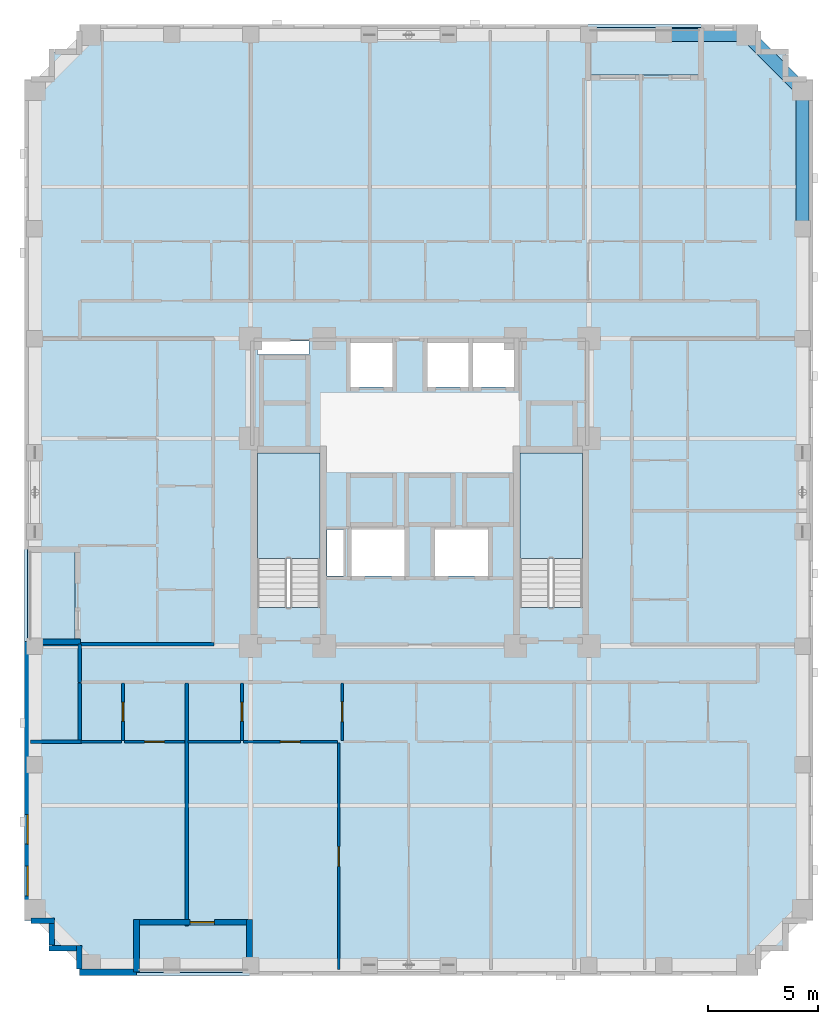
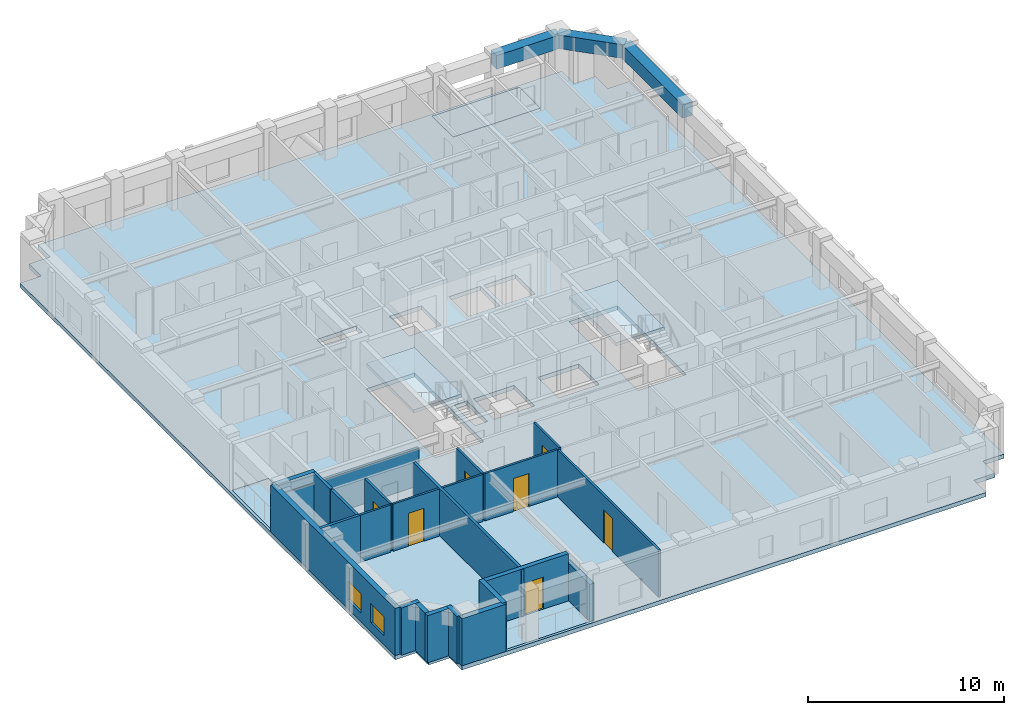
# One storey, part 2 of 12: 23 walls, 7 doors, 6 slabs, 3 beams, 2 windows, 9 openings, 2 elements without a shape of their own.
"""IFC4 building model written with IfcOpenShell, lengths in metres."""

import ifcopenshell
import ifcopenshell.guid

model = None  # the IFC model being written
_history = None  # IfcOwnerHistory: only IFC2X3 demands one
_inside = {}  # id of a spatial element -> (the spatial element, [elements in it])
_under = {}  # id of a project, library or spatial element -> (it, [spatial elements below it])
_declared = {}  # id of a project -> (the project, [libraries it declares])
_typed = {}  # id of a type object -> (the type object, [elements of that type])
_made_of = {}  # id of a material, layer set ... -> (it, [elements and type objects made of it])


def new_model(schema):
    """Start an empty IFC model of exactly this schema.

    Asked for "IFC4X3", IfcOpenShell would pick the latest addendum, in which some entities
    have other attributes; the version numbers below select the first issue.
    IFC2X3 requires an IfcOwnerHistory on every rooted entity: one is made here for all.
    """
    global model, _history
    if schema == "IFC4X3":
        model = ifcopenshell.file(schema_version=(4, 3, 0, 0))
    else:
        model = ifcopenshell.file(schema=schema)
    _inside.clear()
    _under.clear()
    _declared.clear()
    _typed.clear()
    _made_of.clear()
    _history = None
    if model.schema == "IFC2X3":
        org = make("IfcOrganization", Name="unknown")
        user = make(
            "IfcPersonAndOrganization",
            ThePerson=make("IfcPerson", FamilyName="unknown"),
            TheOrganization=org,
        )
        app = make(
            "IfcApplication",
            ApplicationDeveloper=org,
            Version="unknown",
            ApplicationFullName="unknown",
            ApplicationIdentifier="unknown",
        )
        _history = make(
            "IfcOwnerHistory",
            OwningUser=user,
            OwningApplication=app,
            ChangeAction="ADDED",
            CreationDate=0,
        )
    return model


def make(cls, **values):
    """One entity of the class cls with the attributes given. An attribute that is None is left unset."""
    return model.create_entity(
        cls, **{name: value for name, value in values.items() if value is not None}
    )


def rooted(cls, **values):
    """An entity with a GlobalId (a new one), such as an element, a storey or a relation."""
    return make(cls, GlobalId=ifcopenshell.guid.new(), OwnerHistory=_history, **values)


def si_unit(unit_type, name, prefix=None):
    """IfcSIUnit, for example si_unit("LENGTHUNIT", "METRE", prefix="MILLI")."""
    return make("IfcSIUnit", UnitType=unit_type, Prefix=prefix, Name=name)


def derived_unit(unit_type, elements):
    """IfcDerivedUnit: a product of units, each with its exponent."""
    return make(
        "IfcDerivedUnit",
        Elements=[
            make("IfcDerivedUnitElement", Unit=unit, Exponent=power)
            for unit, power in elements
        ],
        UnitType=unit_type,
    )


def assignment(units):
    """IfcUnitAssignment: the units of a project."""
    return None if units is None else make("IfcUnitAssignment", Units=units)


def point(xyz):
    """IfcCartesianPoint."""
    return None if xyz is None else make("IfcCartesianPoint", Coordinates=xyz)


def direction(xyz):
    """IfcDirection."""
    return None if xyz is None else make("IfcDirection", DirectionRatios=xyz)


def frame(location, z_axis=None, x_axis=None):
    """IfcAxis2Placement3D, a coordinate frame: its origin and axes. An axis left out is left unset."""
    return make(
        "IfcAxis2Placement3D",
        Location=point(location),
        Axis=direction(z_axis),
        RefDirection=direction(x_axis),
    )


def frame_2d(location, x_axis=None):
    """IfcAxis2Placement2D, a coordinate frame in the plane: its origin and x axis."""
    return make(
        "IfcAxis2Placement2D", Location=point(location), RefDirection=direction(x_axis)
    )


def origin():
    """The frame at (0, 0, 0) with its axes left unset."""
    return frame((0.0, 0.0, 0.0))


def origin_2d():
    """The frame at (0, 0) in the plane with its x axis left unset."""
    return frame_2d((0.0, 0.0))


def place(relative_to, where):
    """IfcLocalPlacement: puts the frame where relative to a parent placement (None: the world)."""
    return make(
        "IfcLocalPlacement", PlacementRelTo=relative_to, RelativePlacement=where
    )


def context(
    kind, dimensions, precision=None, world=None, true_north=None, identifier=None
):
    """IfcGeometricRepresentationContext, for example the 3D "Model" context."""
    return make(
        "IfcGeometricRepresentationContext",
        ContextIdentifier=identifier,
        ContextType=kind,
        CoordinateSpaceDimension=dimensions,
        Precision=precision,
        WorldCoordinateSystem=world,
        TrueNorth=true_north,
    )


def subcontext(parent, identifier, kind, view, scale=None):
    """IfcGeometricRepresentationSubContext, for example "Body" below "Model"."""
    return make(
        "IfcGeometricRepresentationSubContext",
        ContextIdentifier=identifier,
        ContextType=kind,
        ParentContext=parent,
        TargetScale=scale,
        TargetView=view,
    )


def project(units=None, contexts=None):
    """IfcProject with its units and contexts."""
    return rooted(
        "IfcProject",
        Name="project",
        RepresentationContexts=contexts,
        UnitsInContext=assignment(units),
    )


def spatial(cls, under=None, at=None, **own):
    """A site, building, storey or space (cls), placed at a placement, below another one or the project."""
    s = rooted(cls, ObjectPlacement=at, **own)
    if under is not None:
        _under.setdefault(under.id(), (under, []))[1].append(s)
    return s


def polyline(points):
    """IfcPolyline through the points."""
    return make("IfcPolyline", Points=[point(p) for p in points])


def profile(cls, at=None, kind="AREA", **sizes):
    """A parametric profile (cls). Its sizes go by their IFC names, for example OverallWidth=200.0."""
    return make(cls, ProfileType=kind, Position=at, **sizes)


def rectangle(**sizes):
    """IfcRectangleProfileDef."""
    return profile("IfcRectangleProfileDef", **sizes)


def outline(outer, holes=None, kind="AREA"):
    """IfcArbitraryClosedProfileDef: a profile drawn as a closed curve; with holes, ...WithVoids."""
    if holes is None:
        return make("IfcArbitraryClosedProfileDef", ProfileType=kind, OuterCurve=outer)
    return make(
        "IfcArbitraryProfileDefWithVoids",
        ProfileType=kind,
        OuterCurve=outer,
        InnerCurves=holes,
    )


def extrude(swept, where, along, depth):
    """IfcExtrudedAreaSolid: the profile swept, set in the frame where, extruded along a direction by depth."""
    return make(
        "IfcExtrudedAreaSolid",
        SweptArea=swept,
        Position=where,
        ExtrudedDirection=direction(along),
        Depth=depth,
    )


def shape(context_of_items, identifier, shape_type, items):
    """IfcShapeRepresentation: the items that make up one representation, for example the "Body"."""
    return make(
        "IfcShapeRepresentation",
        ContextOfItems=context_of_items,
        RepresentationIdentifier=identifier,
        RepresentationType=shape_type,
        Items=items,
    )


def material(Name=None, Category=None):
    """IfcMaterial."""
    return make("IfcMaterial", Name=Name, Category=Category)


def layer(
    of_material, thickness, ventilated=None, Name=None, Category=None, Priority=None
):
    """IfcMaterialLayer: one layer of a wall or slab, of a material (None: an air gap)."""
    return make(
        "IfcMaterialLayer",
        Material=of_material,
        LayerThickness=thickness,
        IsVentilated=ventilated,
        Name=Name,
        Category=Category,
        Priority=Priority,
    )


def layer_set(layers, Name=None):
    """IfcMaterialLayerSet."""
    return make("IfcMaterialLayerSet", MaterialLayers=layers, LayerSetName=Name)


def material_profile(
    of_material, cross_section, Name=None, Category=None, Priority=None
):
    """IfcMaterialProfile: a cross section and its material."""
    return make(
        "IfcMaterialProfile",
        Name=Name,
        Material=of_material,
        Profile=cross_section,
        Priority=Priority,
        Category=Category,
    )


def profile_set(profiles, Name=None, composite=None):
    """IfcMaterialProfileSet."""
    return make(
        "IfcMaterialProfileSet",
        Name=Name,
        MaterialProfiles=profiles,
        CompositeProfile=composite,
    )


def made_of(thing, what):
    """Note that an element or type object is made of a material, layer set ...; save() writes the relation."""
    if what is not None:
        _made_of.setdefault(what.id(), (what, []))[1].append(thing)
    return thing


def type_object(cls, material=None, **own):
    """A type object (cls), such as IfcWallType, which elements share."""
    return made_of(rooted(cls, **own), material)


def element(
    cls,
    number,
    at=None,
    inside=None,
    cuts=None,
    type_object=None,
    material=None,
    context=None,
    identifier="Body",
    shape_type=None,
    held_by="IfcProductDefinitionShape",
    body=None,
    shapes=None,
    **own,
):
    """One element of the class cls, such as IfcWall. Its Tag is "e" and its number.

    at: its placement. inside: the storey or other place that contains it. cuts: it is an
    opening in that element (IfcRelVoidsElement). A single representation is given by context,
    identifier, shape_type and body (its items); several are given by shapes. held_by: the class
    of the entity that holds the representations. save() writes the other relations.
    """
    e = rooted(cls, Tag="e%d" % number, ObjectPlacement=at, **own)
    if body is not None:
        shapes = [shape(context, identifier, shape_type, body)]
    if shapes is not None:
        e.Representation = make(held_by, Representations=shapes)
    if inside is not None:
        _inside.setdefault(inside.id(), (inside, []))[1].append(e)
    if cuts is not None:
        rooted(
            "IfcRelVoidsElement", RelatingBuildingElement=cuts, RelatedOpeningElement=e
        )
    if type_object is not None:
        _typed.setdefault(type_object.id(), (type_object, []))[1].append(e)
    return made_of(e, material)


def fill(opening, filler):
    """IfcRelFillsElement: the door or window that sits in an opening."""
    return rooted(
        "IfcRelFillsElement",
        RelatingOpeningElement=opening,
        RelatedBuildingElement=filler,
    )


def aggregate(whole, parts):
    """IfcRelAggregates: a whole, such as a stair, and the parts it consists of."""
    return rooted("IfcRelAggregates", RelatingObject=whole, RelatedObjects=parts)


def save(model, path):
    """Write the relations noted so far, then the file.

    IfcRelAggregates (storeys below a building ...), IfcRelContainedInSpatialStructure (elements
    in a storey), IfcRelDefinesByType, IfcRelAssociatesMaterial and IfcRelDeclares: one each for
    every whole, place, type object, material and project.
    """
    for whole, parts in _under.values():
        aggregate(whole, parts)
    for where, things in _inside.values():
        rooted(
            "IfcRelContainedInSpatialStructure",
            RelatedElements=things,
            RelatingStructure=where,
        )
    for kind, things in _typed.values():
        rooted("IfcRelDefinesByType", RelatedObjects=things, RelatingType=kind)
    for what, things in _made_of.values():
        rooted("IfcRelAssociatesMaterial", RelatedObjects=things, RelatingMaterial=what)
    for by, libraries in _declared.values():
        rooted("IfcRelDeclares", RelatingContext=by, RelatedDefinitions=libraries)
    model.write(path)


model = new_model("IFC4")

# Units and contexts
model_context = context("Model", 3, precision=1e-05, world=origin(), true_north=direction((0.0, 1.0)))
body_context = subcontext(model_context, "Body", "Model", "MODEL_VIEW")
ifc_project = project(units=[si_unit("LENGTHUNIT", "METRE"), si_unit("AREAUNIT", "SQUARE_METRE"), si_unit("VOLUMEUNIT", "CUBIC_METRE"), si_unit("PLANEANGLEUNIT", "RADIAN"), si_unit("MASSUNIT", "GRAM", prefix="KILO"), derived_unit("THERMALTRANSMITTANCEUNIT", [(si_unit("MASSUNIT", "GRAM", prefix="KILO"), 1), (si_unit("TIMEUNIT", "SECOND"), -3), (si_unit("THERMODYNAMICTEMPERATUREUNIT", "KELVIN"), -1)])], contexts=[model_context])

# Site, building, storey
site_placement = place(None, origin())
site = spatial("IfcSite", under=ifc_project, at=site_placement, CompositionType="ELEMENT")
building_placement = place(site_placement, origin())
building = spatial("IfcBuilding", under=site, at=building_placement, Name="Korrvale Station Residences", CompositionType="ELEMENT")
storey_placement = place(building_placement, frame((0.0, 0.0, 107.10009765625)))
storey = spatial("IfcBuildingStorey", under=building, at=storey_placement, Name="L30", CompositionType="ELEMENT", Elevation=107.10009765625)

# Beams
ifc_material_1 = material(Name="Concrete C60/75", Category="concrete")
ifc_material_profile = material_profile(ifc_material_1, rectangle(XDim=0.60009765625, YDim=0.85009765625, at=origin_2d()), Name="RCB600x850")
ifc_profile_set = profile_set([ifc_material_profile], Name="Concrete C60/75")
beam_type = type_object("IfcBeamType", Name="BM-SPB-RCB600x850-C6075", PredefinedType="SPANDREL", material=ifc_profile_set)
beam_1_placement = place(storey_placement, frame((36.60009765625, 42.820068359375, 2.514892578125), z_axis=(1.0, 0.0, 0.0), x_axis=(0.0, 1.0, 0.0)))
element("IfcBeam", 1, at=beam_1_placement, inside=storey, type_object=beam_type, Name="L30 North Tube Spandrel 14", PredefinedType="SPANDREL", context=body_context, shape_type="SweptSolid", body=[
    extrude(rectangle(XDim=0.60009765625, YDim=0.85009765625, at=origin_2d()), origin(), (0.0, 0.0, 1.0), 3.7998046875),
])
beam_2_placement = place(storey_placement, frame((42.919921875, 34.0, 2.514892578125), z_axis=(0.0, 1.0, 0.0), x_axis=(-1.0, 0.0, 0.0)))
element("IfcBeam", 2, at=beam_2_placement, inside=storey, type_object=beam_type, Name="L30 East Tube Spandrel 28", PredefinedType="SPANDREL", context=body_context, shape_type="SweptSolid", body=[
    extrude(rectangle(XDim=0.60009765625, YDim=0.85009765625, at=origin_2d()), origin(), (0.0, 0.0, 1.0), 6.300048828125),
])
beam_3_placement = place(storey_placement, frame((40.39990234375, 42.820068359375, 2.514892578125), z_axis=(0.707106781187, -0.707106781187, 0.0), x_axis=(0.707106781187, 0.707106781187, 0.0)))
element("IfcBeam", 3, at=beam_3_placement, inside=storey, type_object=beam_type, Name="L30 Serrated Corner Spandrel 31", PredefinedType="SPANDREL", context=body_context, shape_type="SweptSolid", body=[
    extrude(rectangle(XDim=0.60009765625, YDim=0.85009765625, at=origin_2d()), origin(), (0.0, 0.0, 1.0), 3.56396484375),
])

# Slabs
ifc_material_2 = material(Name="Concrete C50/60", Category="concrete")
ifc_layer_1 = layer(ifc_material_2, 0.219970703125, Name="Concrete C50/60")
ifc_layer_set_1 = layer_set([ifc_layer_1], Name="Concrete C50/60")
slab_type_1 = type_object("IfcSlabType", Name="SLB-BAL-220", PredefinedType="FLOOR", material=ifc_layer_set_1)
slab_1_placement = place(storey_placement, frame((0.0, 0.0, -0.22021484375)))
element("IfcSlab", 4, at=slab_1_placement, inside=storey, type_object=slab_type_1, Name="L30 Recessed Loggia Balcony Slab BAL-L30-S1", PredefinedType="FLOOR", context=body_context, shape_type="SweptSolid", body=[
    extrude(outline(polyline([(12.60009765625, 0.14990234375), (17.75, 0.14990234375), (17.75, 2.300048828125), (12.60009765625, 2.300048828125), (12.60009765625, 0.14990234375)])), origin(), (0.0, 0.0, 1.0), 0.22021484375),
])
slab_2_placement = place(storey_placement, frame((0.0, 0.0, -0.22021484375)))
element("IfcSlab", 5, at=slab_2_placement, inside=storey, type_object=slab_type_1, Name="L30 Recessed Loggia Balcony Slab BAL-L30-N1", PredefinedType="FLOOR", context=body_context, shape_type="SweptSolid", body=[
    extrude(outline(polyline([(33.14990234375, 41.0), (38.300048828125, 41.0), (38.300048828125, 43.14990234375), (33.14990234375, 43.14990234375), (33.14990234375, 41.0)])), origin(), (0.0, 0.0, 1.0), 0.22021484375),
])
slab_3_placement = place(storey_placement, frame((0.0, 0.0, -0.22021484375)))
element("IfcSlab", 6, at=slab_3_placement, inside=storey, type_object=slab_type_1, Name="L30 Recessed Loggia Balcony Slab BAL-L30-W1", PredefinedType="FLOOR", context=body_context, shape_type="SweptSolid", body=[
    extrude(outline(polyline([(7.64990234375, 15.199951171875), (9.800048828125, 15.199951171875), (9.800048828125, 19.39990234375), (7.64990234375, 19.39990234375), (7.64990234375, 15.199951171875)])), origin(), (0.0, 0.0, 1.0), 0.22021484375),
])
ifc_layer_2 = layer(ifc_material_2, 0.260009765625, Name="Concrete C50/60")
ifc_layer_set_2 = layer_set([ifc_layer_2], Name="Concrete C50/60")
slab_type_2 = type_object("IfcSlabType", Name="SLB-FLR-260", PredefinedType="FLOOR", material=ifc_layer_set_2)
slab_4_placement = place(storey_placement, frame((0.0, 0.0, -0.260009765625)))
element("IfcSlab", 7, at=slab_4_placement, inside=storey, type_object=slab_type_2, Name="L30 Suspended Structural Floor Slab", PredefinedType="FLOOR", context=body_context, shape_type="SweptSolid", body=[
    extrude(outline(polyline([(10.0, 0.0), (40.89990234375, 0.0), (40.89990234375, 1.25), (42.14990234375, 1.25), (42.14990234375, 2.5), (43.39990234375, 2.5), (43.39990234375, 40.800048828125), (42.14990234375, 40.800048828125), (42.14990234375, 42.050048828125), (40.89990234375, 42.050048828125), (40.89990234375, 43.300048828125), (10.0, 43.300048828125), (10.0, 42.050048828125), (8.75, 42.050048828125), (8.75, 40.800048828125), (7.5, 40.800048828125), (7.5, 2.5), (8.75, 2.5), (8.75, 1.25), (10.0, 1.25), (10.0, 0.0)]), holes=[polyline([(20.949951171875, 16.751953125), (20.949951171875, 23.800048828125), (18.10009765625, 23.800048828125), (18.10009765625, 16.751953125), (20.949951171875, 16.751953125)]), polyline([(32.89990234375, 16.751953125), (32.89990234375, 23.800048828125), (30.050048828125, 23.800048828125), (30.050048828125, 16.751953125), (32.89990234375, 16.751953125)]), polyline([(22.35009765625, 26.800048828125), (24.25, 26.800048828125), (24.25, 28.800048828125), (22.35009765625, 28.800048828125), (22.35009765625, 26.800048828125)]), polyline([(25.85009765625, 26.800048828125), (27.7099609375, 26.800048828125), (27.7099609375, 28.800048828125), (25.85009765625, 28.800048828125), (25.85009765625, 26.800048828125)]), polyline([(27.929931640625, 26.800048828125), (29.7900390625, 26.800048828125), (29.7900390625, 28.800048828125), (27.929931640625, 28.800048828125), (27.929931640625, 26.800048828125)]), polyline([(22.39990234375, 18.199951171875), (24.800048828125, 18.199951171875), (24.800048828125, 20.300048828125), (22.39990234375, 20.300048828125), (22.39990234375, 18.199951171875)]), polyline([(26.199951171875, 18.199951171875), (28.60009765625, 18.199951171875), (28.60009765625, 20.300048828125), (26.199951171875, 20.300048828125), (26.199951171875, 18.199951171875)]), polyline([(18.10009765625, 28.280029296875), (20.449951171875, 28.280029296875), (20.449951171875, 28.8798828125), (18.10009765625, 28.8798828125), (18.10009765625, 28.280029296875)]), polyline([(21.280029296875, 18.199951171875), (22.02001953125, 18.199951171875), (22.02001953125, 20.300048828125), (21.280029296875, 20.300048828125), (21.280029296875, 18.199951171875)]), polyline([(12.60009765625, 0.14990234375), (17.75, 0.14990234375), (17.75, 2.300048828125), (12.60009765625, 2.300048828125), (12.60009765625, 0.14990234375)]), polyline([(33.14990234375, 41.0), (38.300048828125, 41.0), (38.300048828125, 43.14990234375), (33.14990234375, 43.14990234375), (33.14990234375, 41.0)]), polyline([(7.64990234375, 15.199951171875), (9.800048828125, 15.199951171875), (9.800048828125, 19.39990234375), (7.64990234375, 19.39990234375), (7.64990234375, 15.199951171875)])]), origin(), (0.0, 0.0, 1.0), 0.260009765625),
])

# Stair, slab
stair_type = type_object("IfcStairType", Name="STR-DL-1350-18R-1778", PredefinedType="HALF_TURN_STAIR", material=ifc_material_2)
stair_1_placement = place(storey_placement, origin())
stair_1 = element("IfcStair", 8, at=stair_1_placement, inside=storey, type_object=stair_type, Name="L30 Exit Stair 1", PredefinedType="HALF_TURN_STAIR")
ifc_layer_3 = layer(ifc_material_2, 0.199951171875, Name="Concrete C50/60")
ifc_layer_set_3 = layer_set([ifc_layer_3], Name="Concrete C50/60")
slab_type_3 = type_object("IfcSlabType", Name="SLB-LND-200", PredefinedType="LANDING", material=ifc_layer_set_3)
slab_5_placement = place(storey_placement, frame((0.0, 0.0, 1.39990234375)))
slab_5 = element("IfcSlab", 9, at=slab_5_placement, type_object=slab_type_3, Name="ST-1 landing 1", PredefinedType="LANDING", context=body_context, shape_type="SweptSolid", body=[
    extrude(outline(polyline([(20.949951171875, 18.989990234375), (20.949951171875, 23.800048828125), (18.10009765625, 23.800048828125), (18.10009765625, 18.989990234375), (20.949951171875, 18.989990234375)])), origin(), (0.0, 0.0, 1.0), 0.199951171875),
])
aggregate(stair_1, [slab_5])

stair_2_placement = place(storey_placement, origin())
stair_2 = element("IfcStair", 10, at=stair_2_placement, inside=storey, type_object=stair_type, Name="L30 Exit Stair 2", PredefinedType="HALF_TURN_STAIR")
slab_6_placement = place(storey_placement, frame((0.0, 0.0, 1.39990234375)))
slab_6 = element("IfcSlab", 11, at=slab_6_placement, type_object=slab_type_3, Name="ST-2 landing 1", PredefinedType="LANDING", context=body_context, shape_type="SweptSolid", body=[
    extrude(outline(polyline([(32.89990234375, 18.989990234375), (32.89990234375, 23.800048828125), (30.050048828125, 23.800048828125), (30.050048828125, 18.989990234375), (32.89990234375, 18.989990234375)])), origin(), (0.0, 0.0, 1.0), 0.199951171875),
])
aggregate(stair_2, [slab_6])

# Wall
ifc_material_3 = material(Name="Precast concrete C45/55", Category="concrete")
ifc_layer_4 = layer(ifc_material_3, 0.260009765625, Name="Precast concrete C45/55")
ifc_layer_set_4 = layer_set([ifc_layer_4], Name="Precast concrete C45/55")
wall_type_1 = type_object("IfcWallType", Name="WAL-EXT-LOG260", PredefinedType="SOLIDWALL", material=ifc_layer_set_4)
wall_1_placement = place(storey_placement, frame((17.75, 0.159912109375, 0.0), z_axis=(0.0, 0.0, 1.0), x_axis=(0.0, 1.0, 0.0)))
element("IfcWall", 12, at=wall_1_placement, inside=storey, type_object=wall_type_1, Name="L30 Recessed Loggia Wall BAL-L30-S1-L", PredefinedType="SOLIDWALL", context=body_context, shape_type="SweptSolid", body=[
    extrude(rectangle(XDim=2.400146484375, YDim=0.260009765625, at=frame_2d((1.2001953125, 0.0))), origin(), (0.0, 0.0, 1.0), 2.31298828125),
])

# Wall, opening, door
wall_2_placement = place(storey_placement, frame((17.615966796875, 2.429931640625, 0.0), z_axis=(0.0, 0.0, 1.0), x_axis=(-1.0, 0.0, 0.0)))
wall_2 = element("IfcWall", 13, at=wall_2_placement, inside=storey, type_object=wall_type_1, Name="L30 Recessed Loggia Wall BAL-L30-S1-B", PredefinedType="SOLIDWALL", context=body_context, shape_type="SweptSolid", body=[
    extrude(rectangle(XDim=4.882080078125, YDim=0.260009765625, at=frame_2d((2.44091796875, 0.0))), origin(), (0.0, 0.0, 1.0), 2.93994140625),
])
opening_1_placement = place(wall_2_placement, frame((1.469970703125, 0.0, 0.0)))
opening_1 = element("IfcOpeningElement", 14, at=opening_1_placement, cuts=wall_2, Name="Opening BD-01", PredefinedType="OPENING", context=body_context, shape_type="SweptSolid", body=[
    extrude(rectangle(XDim=1.10009765625, YDim=2.0, at=frame_2d((0.550048828125, 1.0))), frame((0.0, 0.14013671875, 0.0), z_axis=(0.0, -1.0, 0.0), x_axis=(1.0, 0.0, 0.0)), (0.0, 0.0, 1.0), 0.280029296875),
])
ifc_material_4 = material(Name="Exterior thermally broken aluminium glazed balcony door", Category="aluminium")
door_type_1 = type_object("IfcDoorType", Name="DR-EXT-BAL", OperationType="NOTDEFINED", PredefinedType="DOOR", material=ifc_material_4)
door_1_placement = place(opening_1_placement, origin())
door_1 = element("IfcDoor", 15, at=door_1_placement, inside=storey, type_object=door_type_1, Name="L30 Loggia Balcony Door BAL-L30-S1", OperationType="SINGLE_SWING_LEFT", OverallHeight=2.0, OverallWidth=1.10009765625, PredefinedType="DOOR", context=body_context, shape_type="SweptSolid", body=[
    extrude(rectangle(XDim=1.10009765625, YDim=2.0, at=frame_2d((0.550048828125, 1.0))), frame((0.0, 0.02490234375, 0.0), z_axis=(0.0, -1.0, 0.0), x_axis=(1.0, 0.0, 0.0)), (0.0, 0.0, 1.0), 0.050048828125),
])
fill(opening_1, door_1)

# Walls
for number, where, z_axis, x_axis, name in (
    (16, (12.60009765625, 2.56005859375, 0.0), (0.0, 0.0, 1.0), (0.0, -1.0, 0.0), "L30 Recessed Loggia Wall BAL-L30-S1-R"),
    (17, (7.659912109375, 15.199951171875, 0.0), (0.0, 0.0, 1.0), (1.0, 0.0, 0.0), "L30 Recessed Loggia Wall BAL-L30-W1-L"),
):
    element("IfcWall", number, at=place(storey_placement, frame(where, z_axis=z_axis, x_axis=x_axis)), inside=storey, type_object=wall_type_1, Name=name, PredefinedType="SOLIDWALL", context=body_context, shape_type="SweptSolid", body=[
        extrude(rectangle(XDim=2.400146484375, YDim=0.260009765625, at=frame_2d((1.2001953125, 0.0))), origin(), (0.0, 0.0, 1.0), 2.93994140625),
    ])
wall_3_placement = place(storey_placement, frame((10.0, 0.302001953125, 0.0), z_axis=(0.0, 0.0, 1.0), x_axis=(0.0, 1.0, 0.0)))
element("IfcWall", 18, at=wall_3_placement, inside=storey, type_object=wall_type_1, Name="L30 Serrated Corner Precast Step SW-1", PredefinedType="SOLIDWALL", context=body_context, shape_type="SweptSolid", body=[
    extrude(rectangle(XDim=1.077880859375, YDim=0.260009765625, at=frame_2d((0.5390625, 0.0))), origin(), (0.0, 0.0, 1.0), 2.93994140625),
])
wall_4_placement = place(storey_placement, frame((9.867919921875, 1.25, 0.0), z_axis=(0.0, 0.0, 1.0), x_axis=(-1.0, 0.0, 0.0)))
element("IfcWall", 19, at=wall_4_placement, inside=storey, type_object=wall_type_1, Name="L30 Serrated Corner Precast Step SW-2", PredefinedType="SOLIDWALL", context=body_context, shape_type="SweptSolid", body=[
    extrude(rectangle(XDim=1.247802734375, YDim=0.260009765625, at=frame_2d((0.6240234375, 0.0))), origin(), (0.0, 0.0, 1.0), 2.93994140625),
])
wall_5_placement = place(storey_placement, frame((8.75, 1.382080078125, 0.0), z_axis=(0.0, 0.0, 1.0), x_axis=(0.0, 1.0, 0.0)))
element("IfcWall", 20, at=wall_5_placement, inside=storey, type_object=wall_type_1, Name="L30 Serrated Corner Precast Step SW-3", PredefinedType="SOLIDWALL", context=body_context, shape_type="SweptSolid", body=[
    extrude(rectangle(XDim=0.98583984375, YDim=0.260009765625, at=frame_2d((0.492919921875, 0.0))), origin(), (0.0, 0.0, 1.0), 2.93994140625),
])
wall_6_placement = place(storey_placement, frame((8.8798828125, 2.5, 0.0), z_axis=(0.0, 0.0, 1.0), x_axis=(-1.0, 0.0, 0.0)))
element("IfcWall", 21, at=wall_6_placement, inside=storey, type_object=wall_type_1, Name="L30 Serrated Corner Precast Step SW-4", PredefinedType="SOLIDWALL", context=body_context, shape_type="SweptSolid", body=[
    extrude(rectangle(XDim=1.077880859375, YDim=0.260009765625, at=frame_2d((0.5390625, 0.0))), origin(), (0.0, 0.0, 1.0), 2.93994140625),
])
ifc_layer_5 = layer(ifc_material_3, 0.300048828125, Name="Precast concrete C45/55")
ifc_layer_set_5 = layer_set([ifc_layer_5], Name="Precast concrete C45/55")
wall_type_2 = type_object("IfcWallType", Name="WAL-EXT-PC300", PredefinedType="SOLIDWALL", material=ifc_layer_set_5)
wall_7_placement = place(storey_placement, frame((12.60009765625, 0.14990234375, 0.0), z_axis=(0.0, 0.0, 1.0), x_axis=(-1.0, 0.0, 0.0)))
element("IfcWall", 22, at=wall_7_placement, inside=storey, type_object=wall_type_2, Name="L30 South Exterior Precast Wall 2", PredefinedType="SOLIDWALL", context=body_context, shape_type="SweptSolid", body=[
    extrude(rectangle(XDim=2.60009765625, YDim=0.300048828125, at=frame_2d((1.300048828125, 0.0))), origin(), (0.0, 0.0, 1.0), 2.93994140625),
])

# Wall, openings, windows
wall_8_placement = place(storey_placement, frame((7.64990234375, 2.5, 0.0), z_axis=(0.0, 0.0, 1.0), x_axis=(0.0, 1.0, 0.0)))
wall_8 = element("IfcWall", 23, at=wall_8_placement, inside=storey, type_object=wall_type_2, Name="L30 West Exterior Precast Wall 1", PredefinedType="SOLIDWALL", context=body_context, shape_type="SweptSolid", body=[
    extrude(rectangle(XDim=12.699951171875, YDim=0.300048828125, at=frame_2d((6.35009765625, 0.0))), origin(), (0.0, 0.0, 1.0), 2.93994140625),
])
opening_2_placement = place(wall_8_placement, frame((3.48193359375, 0.0, 0.550048828125)))
opening_2 = element("IfcOpeningElement", 24, at=opening_2_placement, cuts=wall_8, Name="Opening W-10", PredefinedType="OPENING", context=body_context, shape_type="SweptSolid", body=[
    extrude(rectangle(XDim=1.35009765625, YDim=1.199951171875, at=frame_2d((0.675048828125, 0.60009765625))), frame((0.0, 0.16015625, 0.0), z_axis=(0.0, -1.0, 0.0), x_axis=(1.0, 0.0, 0.0)), (0.0, 0.0, 1.0), 0.320068359375),
])
opening_3_placement = place(wall_8_placement, frame((1.135009765625, 0.0, 0.550048828125)))
opening_3 = element("IfcOpeningElement", 25, at=opening_3_placement, cuts=wall_8, Name="Opening W-10", PredefinedType="OPENING", context=body_context, shape_type="SweptSolid", body=[
    extrude(rectangle(XDim=1.35009765625, YDim=1.199951171875, at=frame_2d((0.675048828125, 0.60009765625))), frame((0.0, 0.16015625, 0.0), z_axis=(0.0, -1.0, 0.0), x_axis=(1.0, 0.0, 0.0)), (0.0, 0.0, 1.0), 0.320068359375),
])
ifc_material_5 = material(Name="Thermally broken aluminium frame with triple low-e glazing", Category="aluminium")
window_type = type_object("IfcWindowType", Name="WIN-W10", PartitioningType="SINGLE_PANEL", PredefinedType="WINDOW", material=ifc_material_5)
window_1_placement = place(opening_2_placement, origin())
window_1 = element("IfcWindow", 26, at=window_1_placement, inside=storey, type_object=window_type, Name="L30 Punched Window 01", OverallHeight=1.199951171875, OverallWidth=1.35009765625, PartitioningType="SINGLE_PANEL", PredefinedType="WINDOW", context=body_context, shape_type="SweptSolid", body=[
    extrude(rectangle(XDim=1.35009765625, YDim=1.199951171875, at=frame_2d((0.675048828125, 0.60009765625))), frame((0.0, 0.030029296875, 0.0), z_axis=(0.0, -1.0, 0.0), x_axis=(1.0, 0.0, 0.0)), (0.0, 0.0, 1.0), 0.06005859375),
])
fill(opening_2, window_1)
window_2_placement = place(opening_3_placement, origin())
window_2 = element("IfcWindow", 27, at=window_2_placement, inside=storey, type_object=window_type, Name="L30 Punched Window 02", OverallHeight=1.199951171875, OverallWidth=1.35009765625, PartitioningType="SINGLE_PANEL", PredefinedType="WINDOW", context=body_context, shape_type="SweptSolid", body=[
    extrude(rectangle(XDim=1.35009765625, YDim=1.199951171875, at=frame_2d((0.675048828125, 0.60009765625))), frame((0.0, 0.030029296875, 0.0), z_axis=(0.0, -1.0, 0.0), x_axis=(1.0, 0.0, 0.0)), (0.0, 0.0, 1.0), 0.06005859375),
])
fill(opening_3, window_2)

# Wall, opening, door
ifc_material_6 = material(Name="Acoustic steel-stud gypsum board partition", Category="steel")
ifc_layer_6 = layer(ifc_material_6, 0.1201171875, Name="Acoustic steel-stud gypsum board partition")
ifc_layer_set_6 = layer_set([ifc_layer_6], Name="Acoustic steel-stud gypsum board partition")
wall_type_3 = type_object("IfcWallType", Name="WAL-PART-125", PredefinedType="PARTITIONING", material=ifc_layer_set_6)
wall_9_placement = place(storey_placement, frame((11.989990234375, 10.7099609375, 0.0), z_axis=(0.0, 0.0, 1.0), x_axis=(0.0, 1.0, 0.0)))
wall_9 = element("IfcWall", 28, at=wall_9_placement, inside=storey, type_object=wall_type_3, Name="L30 Suite Partition U01-V01", PredefinedType="PARTITIONING", context=body_context, shape_type="SweptSolid", body=[
    extrude(rectangle(XDim=2.60009765625, YDim=0.1201171875, at=frame_2d((1.300048828125, 0.0))), origin(), (0.0, 0.0, 1.0), 2.93994140625),
])
opening_4_placement = place(wall_9_placement, frame((0.8701171875, 0.0, 0.0)))
opening_4 = element("IfcOpeningElement", 29, at=opening_4_placement, cuts=wall_9, Name="Opening DB-860", PredefinedType="OPENING", context=body_context, shape_type="SweptSolid", body=[
    extrude(rectangle(XDim=0.860107421875, YDim=2.050048828125, at=frame_2d((0.43017578125, 1.02490234375))), frame((0.0, 0.070068359375, 0.0), z_axis=(0.0, -1.0, 0.0), x_axis=(1.0, 0.0, 0.0)), (0.0, 0.0, 1.0), 0.14013671875),
])
ifc_material_7 = material(Name="Moisture-resistant solid-core bathroom door", Category="timber")
door_type_2 = type_object("IfcDoorType", Name="DR-BATH-860", OperationType="NOTDEFINED", PredefinedType="DOOR", material=ifc_material_7)
door_2_placement = place(opening_4_placement, origin())
door_2 = element("IfcDoor", 30, at=door_2_placement, inside=storey, type_object=door_type_2, Name="L30 Studio Apartment L30-U01 Bathroom Door", OperationType="SINGLE_SWING_RIGHT", OverallHeight=2.050048828125, OverallWidth=0.860107421875, PredefinedType="DOOR", context=body_context, shape_type="SweptSolid", body=[
    extrude(rectangle(XDim=0.860107421875, YDim=2.050048828125, at=frame_2d((0.43017578125, 1.02490234375))), frame((0.0, 0.02490234375, 0.0), z_axis=(0.0, -1.0, 0.0), x_axis=(1.0, 0.0, 0.0)), (0.0, 0.0, 1.0), 0.050048828125),
])
fill(opening_4, door_2)

# Wall
wall_10_placement = place(storey_placement, frame((10.080078125, 10.64990234375, 0.0), z_axis=(0.0, 0.0, 1.0), x_axis=(1.0, 0.0, 0.0)))
element("IfcWall", 31, at=wall_10_placement, inside=storey, type_object=wall_type_3, Name="L30 Suite Partition U01-H02", PredefinedType="PARTITIONING", context=body_context, shape_type="SweptSolid", body=[
    extrude(rectangle(XDim=1.849853515625, YDim=0.1201171875, at=frame_2d((0.9248046875, 0.0))), origin(), (0.0, 0.0, 1.0), 2.93994140625),
])

# Wall, opening, door
wall_11_placement = place(storey_placement, frame((12.050048828125, 10.64990234375, 0.0), z_axis=(0.0, 0.0, 1.0), x_axis=(1.0, 0.0, 0.0)))
wall_11 = element("IfcWall", 32, at=wall_11_placement, inside=storey, type_object=wall_type_3, Name="L30 Suite Partition U01-H12", PredefinedType="PARTITIONING", context=body_context, shape_type="SweptSolid", body=[
    extrude(rectangle(XDim=2.73583984375, YDim=0.1201171875, at=frame_2d((1.367919921875, 0.0))), origin(), (0.0, 0.0, 1.0), 2.93994140625),
])
opening_5_placement = place(wall_11_placement, frame((0.91796875, 0.0, 0.0)))
opening_5 = element("IfcOpeningElement", 33, at=opening_5_placement, cuts=wall_11, Name="Opening DI-900", PredefinedType="OPENING", context=body_context, shape_type="SweptSolid", body=[
    extrude(rectangle(XDim=0.89990234375, YDim=2.050048828125, at=frame_2d((0.449951171875, 1.02490234375))), frame((0.0, 0.070068359375, 0.0), z_axis=(0.0, -1.0, 0.0), x_axis=(1.0, 0.0, 0.0)), (0.0, 0.0, 1.0), 0.14013671875),
])
ifc_material_8 = material(Name="Painted solid-core timber interior room door", Category="wood")
door_type_3 = type_object("IfcDoorType", Name="DR-INT-900", OperationType="NOTDEFINED", PredefinedType="DOOR", material=ifc_material_8)
door_3_placement = place(opening_5_placement, origin())
door_3 = element("IfcDoor", 34, at=door_3_placement, inside=storey, type_object=door_type_3, Name="L30 Studio Apartment L30-U01 Kitchen Door", OperationType="SINGLE_SWING_LEFT", OverallHeight=2.050048828125, OverallWidth=0.89990234375, PredefinedType="DOOR", context=body_context, shape_type="SweptSolid", body=[
    extrude(rectangle(XDim=0.89990234375, YDim=2.050048828125, at=frame_2d((0.449951171875, 1.02490234375))), frame((0.0, 0.02490234375, 0.0), z_axis=(0.0, -1.0, 0.0), x_axis=(1.0, 0.0, 0.0)), (0.0, 0.0, 1.0), 0.050048828125),
])
fill(opening_5, door_3)

wall_12_placement = place(storey_placement, frame((17.406005859375, 10.7099609375, 0.0), z_axis=(0.0, 0.0, 1.0), x_axis=(0.0, 1.0, 0.0)))
wall_12 = element("IfcWall", 35, at=wall_12_placement, inside=storey, type_object=wall_type_3, Name="L30 Suite Partition U02-V01", PredefinedType="PARTITIONING", context=body_context, shape_type="SweptSolid", body=[
    extrude(rectangle(XDim=2.60009765625, YDim=0.1201171875, at=frame_2d((1.300048828125, 0.0))), origin(), (0.0, 0.0, 1.0), 2.93994140625),
])
opening_6_placement = place(wall_12_placement, frame((0.8701171875, 0.0, 0.0)))
opening_6 = element("IfcOpeningElement", 36, at=opening_6_placement, cuts=wall_12, Name="Opening DB-860", PredefinedType="OPENING", context=body_context, shape_type="SweptSolid", body=[
    extrude(rectangle(XDim=0.860107421875, YDim=2.050048828125, at=frame_2d((0.43017578125, 1.02490234375))), frame((0.0, 0.070068359375, 0.0), z_axis=(0.0, -1.0, 0.0), x_axis=(1.0, 0.0, 0.0)), (0.0, 0.0, 1.0), 0.14013671875),
])
door_4_placement = place(opening_6_placement, origin())
door_4 = element("IfcDoor", 37, at=door_4_placement, inside=storey, type_object=door_type_2, Name="L30 Apartment 2BR L30-U02 Bathroom Door", OperationType="SINGLE_SWING_RIGHT", OverallHeight=2.050048828125, OverallWidth=0.860107421875, PredefinedType="DOOR", context=body_context, shape_type="SweptSolid", body=[
    extrude(rectangle(XDim=0.860107421875, YDim=2.050048828125, at=frame_2d((0.43017578125, 1.02490234375))), frame((0.0, 0.02490234375, 0.0), z_axis=(0.0, -1.0, 0.0), x_axis=(1.0, 0.0, 0.0)), (0.0, 0.0, 1.0), 0.050048828125),
])
fill(opening_6, door_4)

# Wall
wall_13_placement = place(storey_placement, frame((14.946044921875, 10.64990234375, 0.0), z_axis=(0.0, 0.0, 1.0), x_axis=(1.0, 0.0, 0.0)))
element("IfcWall", 38, at=wall_13_placement, inside=storey, type_object=wall_type_3, Name="L30 Suite Partition U02-H05", PredefinedType="PARTITIONING", context=body_context, shape_type="SweptSolid", body=[
    extrude(rectangle(XDim=2.39990234375, YDim=0.1201171875, at=frame_2d((1.199951171875, 0.0))), origin(), (0.0, 0.0, 1.0), 2.93994140625),
])

# Wall, opening, door
wall_14_placement = place(storey_placement, frame((21.966064453125, 10.7099609375, 0.0), z_axis=(0.0, 0.0, 1.0), x_axis=(0.0, 1.0, 0.0)))
wall_14 = element("IfcWall", 39, at=wall_14_placement, inside=storey, type_object=wall_type_3, Name="L30 Suite Partition U02-V12", PredefinedType="PARTITIONING", context=body_context, shape_type="SweptSolid", body=[
    extrude(rectangle(XDim=2.60009765625, YDim=0.1201171875, at=frame_2d((1.300048828125, 0.0))), origin(), (0.0, 0.0, 1.0), 2.93994140625),
])
opening_7_placement = place(wall_14_placement, frame((0.85009765625, 0.0, 0.0)))
opening_7 = element("IfcOpeningElement", 40, at=opening_7_placement, cuts=wall_14, Name="Opening DI-900", PredefinedType="OPENING", context=body_context, shape_type="SweptSolid", body=[
    extrude(rectangle(XDim=0.89990234375, YDim=2.050048828125, at=frame_2d((0.449951171875, 1.02490234375))), frame((0.0, 0.070068359375, 0.0), z_axis=(0.0, -1.0, 0.0), x_axis=(1.0, 0.0, 0.0)), (0.0, 0.0, 1.0), 0.14013671875),
])
door_5_placement = place(opening_7_placement, origin())
door_5 = element("IfcDoor", 41, at=door_5_placement, inside=storey, type_object=door_type_3, Name="L30 Apartment 2BR L30-U02 Kitchen Door", OperationType="SINGLE_SWING_LEFT", OverallHeight=2.050048828125, OverallWidth=0.89990234375, PredefinedType="DOOR", context=body_context, shape_type="SweptSolid", body=[
    extrude(rectangle(XDim=0.89990234375, YDim=2.050048828125, at=frame_2d((0.449951171875, 1.02490234375))), frame((0.0, 0.02490234375, 0.0), z_axis=(0.0, -1.0, 0.0), x_axis=(1.0, 0.0, 0.0)), (0.0, 0.0, 1.0), 0.050048828125),
])
fill(opening_7, door_5)

wall_15_placement = place(storey_placement, frame((17.466064453125, 10.64990234375, 0.0), z_axis=(0.0, 0.0, 1.0), x_axis=(1.0, 0.0, 0.0)))
wall_15 = element("IfcWall", 42, at=wall_15_placement, inside=storey, type_object=wall_type_3, Name="L30 Suite Partition U02-H15", PredefinedType="PARTITIONING", context=body_context, shape_type="SweptSolid", body=[
    extrude(rectangle(XDim=4.280029296875, YDim=0.1201171875, at=frame_2d((2.14013671875, 0.0))), origin(), (0.0, 0.0, 1.0), 2.93994140625),
])
opening_8_placement = place(wall_15_placement, frame((1.68994140625, 0.0, 0.0)))
opening_8 = element("IfcOpeningElement", 43, at=opening_8_placement, cuts=wall_15, Name="Opening DI-900", PredefinedType="OPENING", context=body_context, shape_type="SweptSolid", body=[
    extrude(rectangle(XDim=0.89990234375, YDim=2.050048828125, at=frame_2d((0.449951171875, 1.02490234375))), frame((0.0, 0.070068359375, 0.0), z_axis=(0.0, -1.0, 0.0), x_axis=(1.0, 0.0, 0.0)), (0.0, 0.0, 1.0), 0.14013671875),
])
door_6_placement = place(opening_8_placement, origin())
door_6 = element("IfcDoor", 44, at=door_6_placement, inside=storey, type_object=door_type_3, Name="L30 Apartment 2BR L30-U02 Kitchen Door", OperationType="SINGLE_SWING_RIGHT", OverallHeight=2.050048828125, OverallWidth=0.89990234375, PredefinedType="DOOR", context=body_context, shape_type="SweptSolid", body=[
    extrude(rectangle(XDim=0.89990234375, YDim=2.050048828125, at=frame_2d((0.449951171875, 1.02490234375))), frame((0.0, 0.02490234375, 0.0), z_axis=(0.0, -1.0, 0.0), x_axis=(1.0, 0.0, 0.0)), (0.0, 0.0, 1.0), 0.050048828125),
])
fill(opening_8, door_6)

wall_16_placement = place(storey_placement, frame((21.805908203125, 0.280029296875, 0.0), z_axis=(0.0, 0.0, 1.0), x_axis=(0.0, 1.0, 0.0)))
wall_16 = element("IfcWall", 45, at=wall_16_placement, inside=storey, type_object=wall_type_3, Name="L30 Suite Partition U02-V56", PredefinedType="PARTITIONING", context=body_context, shape_type="SweptSolid", body=[
    extrude(rectangle(XDim=10.31005859375, YDim=0.1201171875, at=frame_2d((5.155029296875, 0.0))), origin(), (0.0, 0.0, 1.0), 2.93994140625),
])
opening_9_placement = place(wall_16_placement, frame((4.68994140625, 0.0, 0.0)))
opening_9 = element("IfcOpeningElement", 46, at=opening_9_placement, cuts=wall_16, Name="Opening DI-900", PredefinedType="OPENING", context=body_context, shape_type="SweptSolid", body=[
    extrude(rectangle(XDim=0.89990234375, YDim=2.050048828125, at=frame_2d((0.449951171875, 1.02490234375))), frame((0.0, 0.070068359375, 0.0), z_axis=(0.0, -1.0, 0.0), x_axis=(1.0, 0.0, 0.0)), (0.0, 0.0, 1.0), 0.14013671875),
])
door_7_placement = place(opening_9_placement, origin())
door_7 = element("IfcDoor", 47, at=door_7_placement, inside=storey, type_object=door_type_3, Name="L30 Apartment 2BR L30-U02 Living and Dining Room Door", OperationType="SINGLE_SWING_RIGHT", OverallHeight=2.050048828125, OverallWidth=0.89990234375, PredefinedType="DOOR", context=body_context, shape_type="SweptSolid", body=[
    extrude(rectangle(XDim=0.89990234375, YDim=2.050048828125, at=frame_2d((0.449951171875, 1.02490234375))), frame((0.0, 0.02490234375, 0.0), z_axis=(0.0, -1.0, 0.0), x_axis=(1.0, 0.0, 0.0)), (0.0, 0.0, 1.0), 0.050048828125),
])
fill(opening_9, door_7)

# Walls
ifc_material_9 = material(Name="Fire-rated twin-stud gypsum and mineral wool shaftwall assembly", Category="gypsum")
ifc_layer_7 = layer(ifc_material_9, 0.159912109375, Name="Fire-rated twin-stud gypsum and mineral wool shaftwall assembly")
ifc_layer_set_7 = layer_set([ifc_layer_7], Name="Fire-rated twin-stud gypsum and mineral wool shaftwall assembly")
wall_type_4 = type_object("IfcWallType", Name="WAL-PART-200", PredefinedType="PARTITIONING", material=ifc_layer_set_7)
wall_17_placement = place(storey_placement, frame((10.02001953125, 13.35009765625, 0.0), z_axis=(0.0, 0.0, 1.0), x_axis=(0.0, 1.0, 0.0)))
element("IfcWall", 48, at=wall_17_placement, inside=storey, type_object=wall_type_4, Name="L30 Corridor South West Cap", PredefinedType="PARTITIONING", context=body_context, shape_type="SweptSolid", body=[
    extrude(rectangle(XDim=1.739990234375, YDim=0.159912109375, at=frame_2d((0.8701171875, 0.0))), origin(), (0.0, 0.0, 1.0), 2.93994140625),
])
wall_18_placement = place(storey_placement, frame((7.780029296875, 15.090087890625, 0.0), z_axis=(0.0, 0.0, 1.0), x_axis=(1.0, 0.0, 0.0)))
element("IfcWall", 49, at=wall_18_placement, inside=storey, type_object=wall_type_4, Name="L30 West Wing South Corridor Wall", PredefinedType="PARTITIONING", context=body_context, shape_type="SweptSolid", body=[
    extrude(rectangle(XDim=8.35986328125, YDim=0.159912109375, at=frame_2d((4.179931640625, 0.0))), origin(), (0.0, 0.0, 1.0), 2.31298828125),
])
wall_19_placement = place(storey_placement, frame((7.780029296875, 10.64990234375, 0.0), z_axis=(0.0, 0.0, 1.0), x_axis=(1.0, 0.0, 0.0)))
element("IfcWall", 50, at=wall_19_placement, inside=storey, type_object=wall_type_4, Name="L30 Corner Step Wall U01-L", PredefinedType="PARTITIONING", context=body_context, shape_type="SweptSolid", body=[
    extrude(rectangle(XDim=2.340087890625, YDim=0.159912109375, at=frame_2d((1.169921875, 0.0))), origin(), (0.0, 0.0, 1.0), 2.93994140625),
])
wall_20_placement = place(storey_placement, frame((10.02001953125, 10.64990234375, 0.0), z_axis=(0.0, 0.0, 1.0), x_axis=(0.0, 1.0, 0.0)))
element("IfcWall", 51, at=wall_20_placement, inside=storey, type_object=wall_type_4, Name="L30 Corner Step Cheek U01-L", PredefinedType="PARTITIONING", context=body_context, shape_type="SweptSolid", body=[
    extrude(rectangle(XDim=2.66015625, YDim=0.159912109375, at=frame_2d((1.330078125, 0.0))), origin(), (0.0, 0.0, 1.0), 2.93994140625),
])
wall_21_placement = place(storey_placement, frame((14.885986328125, 2.260009765625, 0.0), z_axis=(0.0, 0.0, 1.0), x_axis=(0.0, 1.0, 0.0)))
element("IfcWall", 52, at=wall_21_placement, inside=storey, type_object=wall_type_4, Name="L30 Demising Wall U02-W", PredefinedType="PARTITIONING", context=body_context, shape_type="SweptSolid", body=[
    extrude(rectangle(XDim=11.050048828125, YDim=0.159912109375, at=frame_2d((5.52490234375, 0.0))), origin(), (0.0, 0.0, 1.0), 2.93994140625),
])

save(model, "model.ifc")
